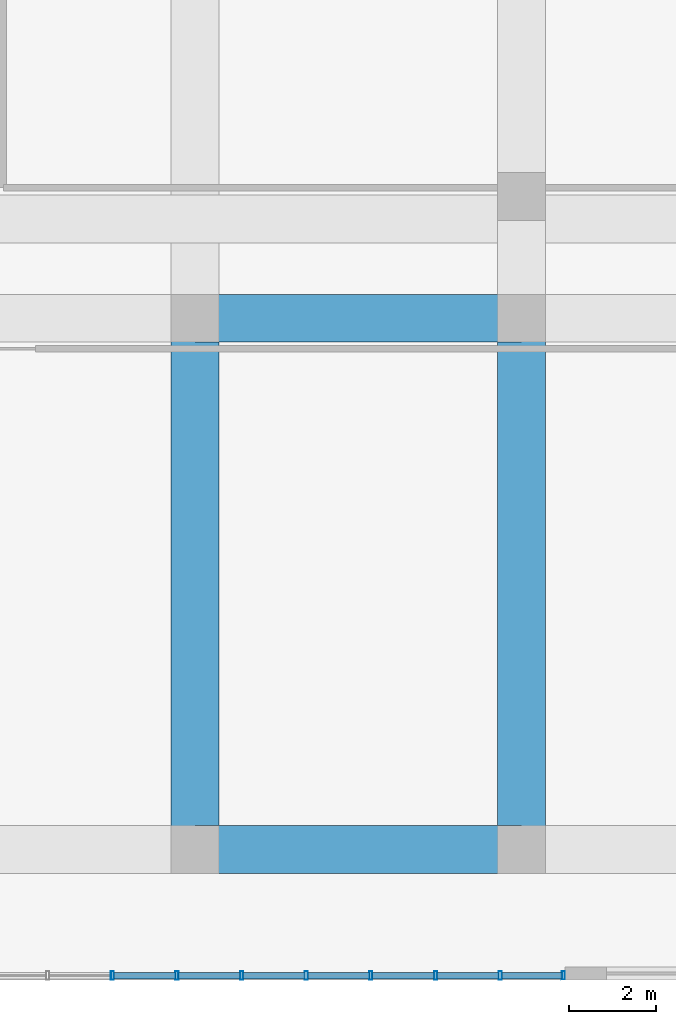
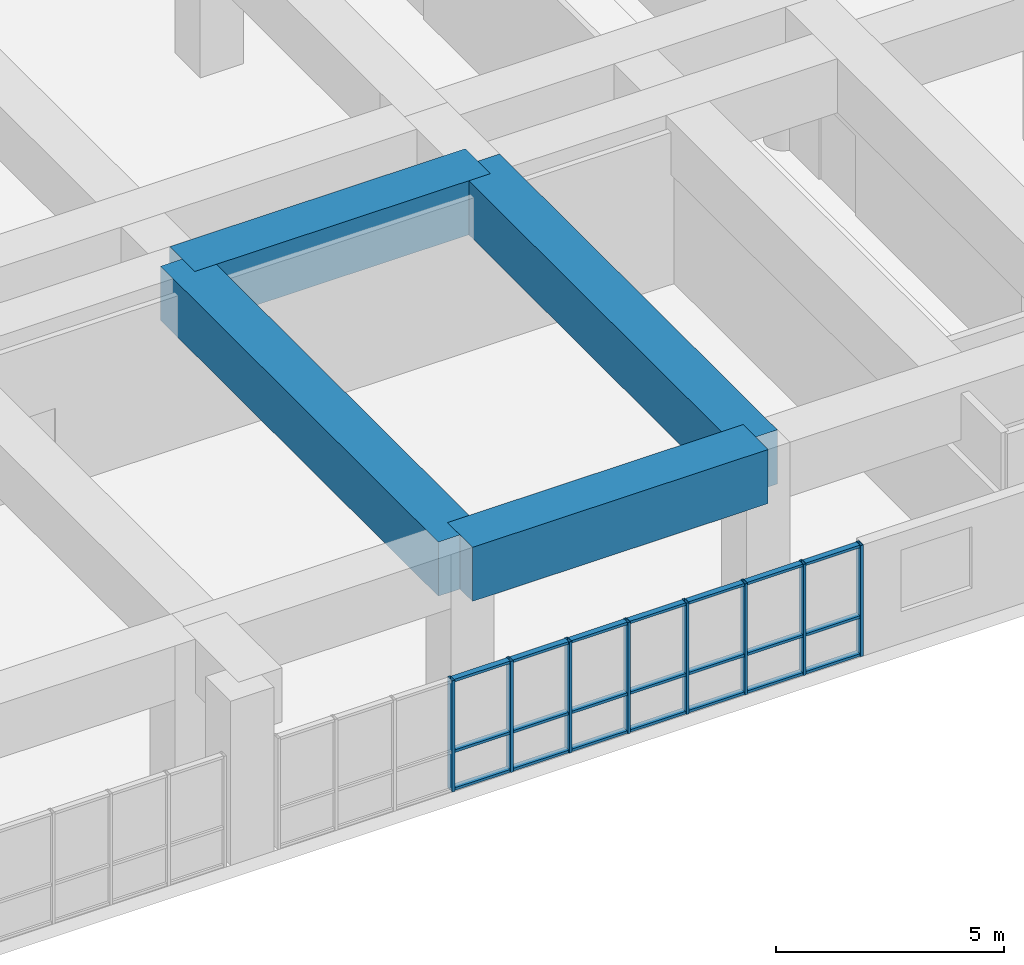
# One storey, part 8 of 28: 29 members, 4 beams, 1 element without a shape of its own.
"""IFC4 building model written with IfcOpenShell, lengths in metres."""

from ifc_helpers import new_model, si_unit, direction, frame, origin, origin_2d, place, context, subcontext, project, spatial, rectangle, hollow_rectangle, extrude, source, transform, mapped, material, layer, layer_set, material_profile, profile_set, type_object, element, aggregate, save


model = new_model("IFC4")

# Units and contexts
model_context = context("Model", 3, precision=1e-05, world=origin(), true_north=direction((0.0, 1.0)))
body_context = subcontext(model_context, "Body", "Model", "MODEL_VIEW")
ifc_project = project(units=[si_unit("LENGTHUNIT", "METRE"), si_unit("AREAUNIT", "SQUARE_METRE"), si_unit("VOLUMEUNIT", "CUBIC_METRE"), si_unit("PLANEANGLEUNIT", "RADIAN"), si_unit("MASSUNIT", "GRAM", prefix="KILO")], contexts=[model_context])

# Site, building, storey
site_placement = place(None, origin())
site = spatial("IfcSite", under=ifc_project, at=site_placement, CompositionType="ELEMENT")
building_placement = place(site_placement, origin())
building = spatial("IfcBuilding", under=site, at=building_placement, Name="Saelheon Loggia Tower", CompositionType="ELEMENT")
storey_placement = place(building_placement, frame((0.0, 0.0, 15.0)))
storey = spatial("IfcBuildingStorey", under=building, at=storey_placement, Name="L04", CompositionType="ELEMENT", Elevation=15.0)

# Beams
ifc_material_1 = material(Name="Concrete C50/60", Category="concrete")
ifc_material_profile_1 = material_profile(ifc_material_1, rectangle(XDim=1.10009765625, YDim=1.449951171875, at=origin_2d()), Name="RC-1100x1450")
ifc_profile_set_1 = profile_set([ifc_material_profile_1], Name="Concrete C50/60")
beam_type = type_object("IfcBeamType", Name="Beam_Transfer_RC1100x1450", PredefinedType="BEAM", material=ifc_profile_set_1)
shared_shape_1 = source(origin(), body_context, "Body", "SweptSolid", [
    extrude(rectangle(XDim=1.10009765625, YDim=1.449951171875, at=origin_2d()), origin(), (0.0, 0.0, 1.0), 7.5),
])
for number, where, z_axis, x_axis, name in (
    (1, (51.5, 3.0, 3.675048828125), (1.0, 0.0, 0.0), (0.0, 1.0, 0.0), "BM-L04-EW-3-7"),
    (2, (51.5, 15.199951171875, 3.675048828125), (1.0, 0.0, 0.0), (0.0, 1.0, 0.0), "BM-L04-EW-15-7"),
):
    element("IfcBeam", number, at=place(storey_placement, frame(where, z_axis=z_axis, x_axis=x_axis)), inside=storey, type_object=beam_type, Name=name, PredefinedType="BEAM", context=body_context, shape_type="MappedRepresentation", body=[
        mapped(shared_shape_1, transform((0.0, 0.0, 0.0), scale=1.0)),
    ])
shared_shape_2 = source(origin(), body_context, "Body", "SweptSolid", [
    extrude(rectangle(XDim=1.10009765625, YDim=1.449951171875, at=origin_2d()), origin(), (0.0, 0.0, 1.0), 12.199951171875),
])
for number, where, z_axis, x_axis, name in (
    (3, (51.5, 3.0, 3.675048828125), (0.0, 1.0, 0.0), (-1.0, 0.0, 0.0), "BM-L04-NS-51-1"),
    (4, (59.0, 3.0, 3.675048828125), (0.0, 1.0, 0.0), (-1.0, 0.0, 0.0), "BM-L04-NS-59-1"),
):
    element("IfcBeam", number, at=place(storey_placement, frame(where, z_axis=z_axis, x_axis=x_axis)), inside=storey, type_object=beam_type, Name=name, PredefinedType="BEAM", context=body_context, shape_type="MappedRepresentation", body=[
        mapped(shared_shape_2, transform((0.0, 0.0, 0.0), scale=1.0)),
    ])

# Curtain wall, members
ifc_material_2 = material(Name="Aluminium 6063-T6 and Low-E IGU", Category="aluminium")
ifc_layer = layer(ifc_material_2, 0.179931640625)
ifc_layer_set = layer_set([ifc_layer], Name="Aluminium 6063-T6 and Low-E IGU")
curtain_wall_type = type_object("IfcCurtainWallType", Name="CW_PodiumClinic", PredefinedType="NOTDEFINED", material=ifc_layer_set)
curtain_wall_placement = place(storey_placement, origin())
curtain_wall = element("IfcCurtainWall", 5, at=curtain_wall_placement, inside=storey, type_object=curtain_wall_type, Name="L04 South Clinic Curtain Wall 3", PredefinedType="NOTDEFINED")
ifc_material_3 = material(Name="Anodised Aluminium 6063-T6", Category="aluminium")
ifc_material_profile_2 = material_profile(ifc_material_3, hollow_rectangle(XDim=0.070068359375, YDim=0.14990234375, WallThickness=0.0048828125, at=origin_2d()), Name="RHS-150x70x5")
ifc_profile_set_2 = profile_set([ifc_material_profile_2], Name="Anodised Aluminium 6063-T6")
member_type_1 = type_object("IfcMemberType", Name="CW_PodiumClinic_Transom", PredefinedType="USERDEFINED", material=ifc_profile_set_2)
shared_shape_3 = source(origin(), body_context, "Body", "SweptSolid", [
    extrude(hollow_rectangle(XDim=0.070068359375, YDim=0.14990234375, WallThickness=0.0048828125, at=origin_2d()), origin(), (0.0, 0.0, 1.0), 1.3798828125),
])
member_1_placement = place(storey_placement, frame((58.550048828125, 0.10009765625, 0.034912109375), z_axis=(1.0, 0.0, 0.0), x_axis=(0.0, 0.0, 1.0)))
member_1 = element("IfcMember", 6, at=member_1_placement, type_object=member_type_1, Name="CW1 transom 10.1", ObjectType="TRANSOM", PredefinedType="USERDEFINED", context=body_context, shape_type="MappedRepresentation", body=[
    mapped(shared_shape_3, transform((0.0, 0.0, 0.0), scale=1.0)),
])
member_2_placement = place(storey_placement, frame((58.550048828125, 0.10009765625, 1.050048828125), z_axis=(1.0, 0.0, 0.0), x_axis=(0.0, 0.0, 1.0)))
member_2 = element("IfcMember", 7, at=member_2_placement, type_object=member_type_1, Name="CW1 transom 10.2", ObjectType="TRANSOM", PredefinedType="USERDEFINED", context=body_context, shape_type="MappedRepresentation", body=[
    mapped(shared_shape_3, transform((0.0, 0.0, 0.0), scale=1.0)),
])
member_3_placement = place(storey_placement, frame((58.550048828125, 0.10009765625, 2.945068359375), z_axis=(1.0, 0.0, 0.0), x_axis=(0.0, 0.0, 1.0)))
member_3 = element("IfcMember", 8, at=member_3_placement, type_object=member_type_1, Name="CW1 transom 10.3", ObjectType="TRANSOM", PredefinedType="USERDEFINED", context=body_context, shape_type="MappedRepresentation", body=[
    mapped(shared_shape_3, transform((0.0, 0.0, 0.0), scale=1.0)),
])
shared_shape_4 = source(origin(), body_context, "Body", "SweptSolid", [
    extrude(hollow_rectangle(XDim=0.070068359375, YDim=0.14990234375, WallThickness=0.0048828125, at=origin_2d()), origin(), (0.0, 0.0, 1.0), 1.4150390625),
])
member_4_placement = place(storey_placement, frame((49.639892578125, 0.10009765625, 0.034912109375), z_axis=(1.0, 0.0, 0.0), x_axis=(0.0, 0.0, 1.0)))
member_4 = element("IfcMember", 9, at=member_4_placement, type_object=member_type_1, Name="CW1 transom 4.1", ObjectType="TRANSOM", PredefinedType="USERDEFINED", context=body_context, shape_type="MappedRepresentation", body=[
    mapped(shared_shape_4, transform((0.0, 0.0, 0.0), scale=1.0)),
])
member_5_placement = place(storey_placement, frame((49.639892578125, 0.10009765625, 1.050048828125), z_axis=(1.0, 0.0, 0.0), x_axis=(0.0, 0.0, 1.0)))
member_5 = element("IfcMember", 10, at=member_5_placement, type_object=member_type_1, Name="CW1 transom 4.2", ObjectType="TRANSOM", PredefinedType="USERDEFINED", context=body_context, shape_type="MappedRepresentation", body=[
    mapped(shared_shape_4, transform((0.0, 0.0, 0.0), scale=1.0)),
])
member_6_placement = place(storey_placement, frame((49.639892578125, 0.10009765625, 2.945068359375), z_axis=(1.0, 0.0, 0.0), x_axis=(0.0, 0.0, 1.0)))
member_6 = element("IfcMember", 11, at=member_6_placement, type_object=member_type_1, Name="CW1 transom 4.3", ObjectType="TRANSOM", PredefinedType="USERDEFINED", context=body_context, shape_type="MappedRepresentation", body=[
    mapped(shared_shape_4, transform((0.0, 0.0, 0.0), scale=1.0)),
])
member_7_placement = place(storey_placement, frame((51.125, 0.10009765625, 0.034912109375), z_axis=(1.0, 0.0, 0.0), x_axis=(0.0, 0.0, 1.0)))
member_7 = element("IfcMember", 12, at=member_7_placement, type_object=member_type_1, Name="CW1 transom 5.1", ObjectType="TRANSOM", PredefinedType="USERDEFINED", context=body_context, shape_type="MappedRepresentation", body=[
    mapped(shared_shape_4, transform((0.0, 0.0, 0.0), scale=1.0)),
])
member_8_placement = place(storey_placement, frame((51.125, 0.10009765625, 1.050048828125), z_axis=(1.0, 0.0, 0.0), x_axis=(0.0, 0.0, 1.0)))
member_8 = element("IfcMember", 13, at=member_8_placement, type_object=member_type_1, Name="CW1 transom 5.2", ObjectType="TRANSOM", PredefinedType="USERDEFINED", context=body_context, shape_type="MappedRepresentation", body=[
    mapped(shared_shape_4, transform((0.0, 0.0, 0.0), scale=1.0)),
])
member_9_placement = place(storey_placement, frame((51.125, 0.10009765625, 2.945068359375), z_axis=(1.0, 0.0, 0.0), x_axis=(0.0, 0.0, 1.0)))
member_9 = element("IfcMember", 14, at=member_9_placement, type_object=member_type_1, Name="CW1 transom 5.3", ObjectType="TRANSOM", PredefinedType="USERDEFINED", context=body_context, shape_type="MappedRepresentation", body=[
    mapped(shared_shape_4, transform((0.0, 0.0, 0.0), scale=1.0)),
])
member_10_placement = place(storey_placement, frame((54.094970703125, 0.10009765625, 0.034912109375), z_axis=(1.0, 0.0, 0.0), x_axis=(0.0, 0.0, 1.0)))
member_10 = element("IfcMember", 15, at=member_10_placement, type_object=member_type_1, Name="CW1 transom 7.1", ObjectType="TRANSOM", PredefinedType="USERDEFINED", context=body_context, shape_type="MappedRepresentation", body=[
    mapped(shared_shape_4, transform((0.0, 0.0, 0.0), scale=1.0)),
])
member_11_placement = place(storey_placement, frame((54.094970703125, 0.10009765625, 1.050048828125), z_axis=(1.0, 0.0, 0.0), x_axis=(0.0, 0.0, 1.0)))
member_11 = element("IfcMember", 16, at=member_11_placement, type_object=member_type_1, Name="CW1 transom 7.2", ObjectType="TRANSOM", PredefinedType="USERDEFINED", context=body_context, shape_type="MappedRepresentation", body=[
    mapped(shared_shape_4, transform((0.0, 0.0, 0.0), scale=1.0)),
])
member_12_placement = place(storey_placement, frame((54.094970703125, 0.10009765625, 2.945068359375), z_axis=(1.0, 0.0, 0.0), x_axis=(0.0, 0.0, 1.0)))
member_12 = element("IfcMember", 17, at=member_12_placement, type_object=member_type_1, Name="CW1 transom 7.3", ObjectType="TRANSOM", PredefinedType="USERDEFINED", context=body_context, shape_type="MappedRepresentation", body=[
    mapped(shared_shape_4, transform((0.0, 0.0, 0.0), scale=1.0)),
])
member_13_placement = place(storey_placement, frame((55.580078125, 0.10009765625, 0.034912109375), z_axis=(1.0, 0.0, 0.0), x_axis=(0.0, 0.0, 1.0)))
member_13 = element("IfcMember", 18, at=member_13_placement, type_object=member_type_1, Name="CW1 transom 8.1", ObjectType="TRANSOM", PredefinedType="USERDEFINED", context=body_context, shape_type="MappedRepresentation", body=[
    mapped(shared_shape_4, transform((0.0, 0.0, 0.0), scale=1.0)),
])
member_14_placement = place(storey_placement, frame((55.580078125, 0.10009765625, 1.050048828125), z_axis=(1.0, 0.0, 0.0), x_axis=(0.0, 0.0, 1.0)))
member_14 = element("IfcMember", 19, at=member_14_placement, type_object=member_type_1, Name="CW1 transom 8.2", ObjectType="TRANSOM", PredefinedType="USERDEFINED", context=body_context, shape_type="MappedRepresentation", body=[
    mapped(shared_shape_4, transform((0.0, 0.0, 0.0), scale=1.0)),
])
member_15_placement = place(storey_placement, frame((55.580078125, 0.10009765625, 2.945068359375), z_axis=(1.0, 0.0, 0.0), x_axis=(0.0, 0.0, 1.0)))
member_15 = element("IfcMember", 20, at=member_15_placement, type_object=member_type_1, Name="CW1 transom 8.3", ObjectType="TRANSOM", PredefinedType="USERDEFINED", context=body_context, shape_type="MappedRepresentation", body=[
    mapped(shared_shape_4, transform((0.0, 0.0, 0.0), scale=1.0)),
])
member_16_placement = place(storey_placement, frame((57.06494140625, 0.10009765625, 0.034912109375), z_axis=(1.0, 0.0, 0.0), x_axis=(0.0, 0.0, 1.0)))
member_16 = element("IfcMember", 21, at=member_16_placement, type_object=member_type_1, Name="CW1 transom 9.1", ObjectType="TRANSOM", PredefinedType="USERDEFINED", context=body_context, shape_type="MappedRepresentation", body=[
    mapped(shared_shape_4, transform((0.0, 0.0, 0.0), scale=1.0)),
])
member_17_placement = place(storey_placement, frame((57.06494140625, 0.10009765625, 1.050048828125), z_axis=(1.0, 0.0, 0.0), x_axis=(0.0, 0.0, 1.0)))
member_17 = element("IfcMember", 22, at=member_17_placement, type_object=member_type_1, Name="CW1 transom 9.2", ObjectType="TRANSOM", PredefinedType="USERDEFINED", context=body_context, shape_type="MappedRepresentation", body=[
    mapped(shared_shape_4, transform((0.0, 0.0, 0.0), scale=1.0)),
])
member_18_placement = place(storey_placement, frame((57.06494140625, 0.10009765625, 2.945068359375), z_axis=(1.0, 0.0, 0.0), x_axis=(0.0, 0.0, 1.0)))
member_18 = element("IfcMember", 23, at=member_18_placement, type_object=member_type_1, Name="CW1 transom 9.3", ObjectType="TRANSOM", PredefinedType="USERDEFINED", context=body_context, shape_type="MappedRepresentation", body=[
    mapped(shared_shape_4, transform((0.0, 0.0, 0.0), scale=1.0)),
])
shared_shape_5 = source(origin(), body_context, "Body", "SweptSolid", [
    extrude(hollow_rectangle(XDim=0.070068359375, YDim=0.14990234375, WallThickness=0.0048828125, at=origin_2d()), origin(), (0.0, 0.0, 1.0), 1.414794921875),
])
member_19_placement = place(storey_placement, frame((52.610107421875, 0.10009765625, 0.034912109375), z_axis=(1.0, 0.0, 0.0), x_axis=(0.0, 0.0, 1.0)))
member_19 = element("IfcMember", 24, at=member_19_placement, type_object=member_type_1, Name="CW1 transom 6.1", ObjectType="TRANSOM", PredefinedType="USERDEFINED", context=body_context, shape_type="MappedRepresentation", body=[
    mapped(shared_shape_5, transform((0.0, 0.0, 0.0), scale=1.0)),
])
member_20_placement = place(storey_placement, frame((52.610107421875, 0.10009765625, 1.050048828125), z_axis=(1.0, 0.0, 0.0), x_axis=(0.0, 0.0, 1.0)))
member_20 = element("IfcMember", 25, at=member_20_placement, type_object=member_type_1, Name="CW1 transom 6.2", ObjectType="TRANSOM", PredefinedType="USERDEFINED", context=body_context, shape_type="MappedRepresentation", body=[
    mapped(shared_shape_5, transform((0.0, 0.0, 0.0), scale=1.0)),
])
member_21_placement = place(storey_placement, frame((52.610107421875, 0.10009765625, 2.945068359375), z_axis=(1.0, 0.0, 0.0), x_axis=(0.0, 0.0, 1.0)))
member_21 = element("IfcMember", 26, at=member_21_placement, type_object=member_type_1, Name="CW1 transom 6.3", ObjectType="TRANSOM", PredefinedType="USERDEFINED", context=body_context, shape_type="MappedRepresentation", body=[
    mapped(shared_shape_5, transform((0.0, 0.0, 0.0), scale=1.0)),
])
ifc_material_profile_3 = material_profile(ifc_material_3, hollow_rectangle(XDim=0.070068359375, YDim=0.199951171875, WallThickness=0.0048828125, at=origin_2d()), Name="RHS-200x70x5")
ifc_profile_set_3 = profile_set([ifc_material_profile_3], Name="Anodised Aluminium 6063-T6")
member_type_2 = type_object("IfcMemberType", Name="CW_PodiumClinic_Mullion", PredefinedType="MULLION", material=ifc_profile_set_3)
shared_shape_6 = source(origin(), body_context, "Body", "SweptSolid", [
    extrude(hollow_rectangle(XDim=0.070068359375, YDim=0.199951171875, WallThickness=0.0048828125, at=origin_2d()), origin(), (0.0, 0.0, 1.0), 2.97998046875),
])
member_22_placement = place(storey_placement, frame((49.60498046875, 0.10009765625, 0.0), z_axis=(0.0, 0.0, 1.0), x_axis=(1.0, 0.0, 0.0)))
member_22 = element("IfcMember", 27, at=member_22_placement, type_object=member_type_2, Name="CW1 mullion 4", PredefinedType="MULLION", context=body_context, shape_type="MappedRepresentation", body=[
    mapped(shared_shape_6, transform((0.0, 0.0, 0.0), scale=1.0)),
])
member_23_placement = place(storey_placement, frame((51.090087890625, 0.10009765625, 0.0), z_axis=(0.0, 0.0, 1.0), x_axis=(1.0, 0.0, 0.0)))
member_23 = element("IfcMember", 28, at=member_23_placement, type_object=member_type_2, Name="CW1 mullion 5", PredefinedType="MULLION", context=body_context, shape_type="MappedRepresentation", body=[
    mapped(shared_shape_6, transform((0.0, 0.0, 0.0), scale=1.0)),
])
member_24_placement = place(storey_placement, frame((52.574951171875, 0.10009765625, 0.0), z_axis=(0.0, 0.0, 1.0), x_axis=(1.0, 0.0, 0.0)))
member_24 = element("IfcMember", 29, at=member_24_placement, type_object=member_type_2, Name="CW1 mullion 6", PredefinedType="MULLION", context=body_context, shape_type="MappedRepresentation", body=[
    mapped(shared_shape_6, transform((0.0, 0.0, 0.0), scale=1.0)),
])
member_25_placement = place(storey_placement, frame((54.06005859375, 0.10009765625, 0.0), z_axis=(0.0, 0.0, 1.0), x_axis=(1.0, 0.0, 0.0)))
member_25 = element("IfcMember", 30, at=member_25_placement, type_object=member_type_2, Name="CW1 mullion 7", PredefinedType="MULLION", context=body_context, shape_type="MappedRepresentation", body=[
    mapped(shared_shape_6, transform((0.0, 0.0, 0.0), scale=1.0)),
])
member_26_placement = place(storey_placement, frame((55.544921875, 0.10009765625, 0.0), z_axis=(0.0, 0.0, 1.0), x_axis=(1.0, 0.0, 0.0)))
member_26 = element("IfcMember", 31, at=member_26_placement, type_object=member_type_2, Name="CW1 mullion 8", PredefinedType="MULLION", context=body_context, shape_type="MappedRepresentation", body=[
    mapped(shared_shape_6, transform((0.0, 0.0, 0.0), scale=1.0)),
])
member_27_placement = place(storey_placement, frame((57.030029296875, 0.10009765625, 0.0), z_axis=(0.0, 0.0, 1.0), x_axis=(1.0, 0.0, 0.0)))
member_27 = element("IfcMember", 32, at=member_27_placement, type_object=member_type_2, Name="CW1 mullion 9", PredefinedType="MULLION", context=body_context, shape_type="MappedRepresentation", body=[
    mapped(shared_shape_6, transform((0.0, 0.0, 0.0), scale=1.0)),
])
member_28_placement = place(storey_placement, frame((58.514892578125, 0.10009765625, 0.0), z_axis=(0.0, 0.0, 1.0), x_axis=(1.0, 0.0, 0.0)))
member_28 = element("IfcMember", 33, at=member_28_placement, type_object=member_type_2, Name="CW1 mullion 10", PredefinedType="MULLION", context=body_context, shape_type="MappedRepresentation", body=[
    mapped(shared_shape_6, transform((0.0, 0.0, 0.0), scale=1.0)),
])
member_29_placement = place(storey_placement, frame((59.965087890625, 0.10009765625, 0.0), z_axis=(0.0, 0.0, 1.0), x_axis=(1.0, 0.0, 0.0)))
member_29 = element("IfcMember", 34, at=member_29_placement, type_object=member_type_2, Name="CW1 mullion 11", PredefinedType="MULLION", context=body_context, shape_type="MappedRepresentation", body=[
    mapped(shared_shape_6, transform((0.0, 0.0, 0.0), scale=1.0)),
])
aggregate(curtain_wall, [member_22, member_23, member_24, member_25, member_26, member_27, member_28, member_29, member_4, member_5, member_6, member_7, member_8, member_9, member_19, member_20, member_21, member_10, member_11, member_12, member_13, member_14, member_15, member_16, member_17, member_18, member_1, member_2, member_3])

save(model, "model.ifc")
